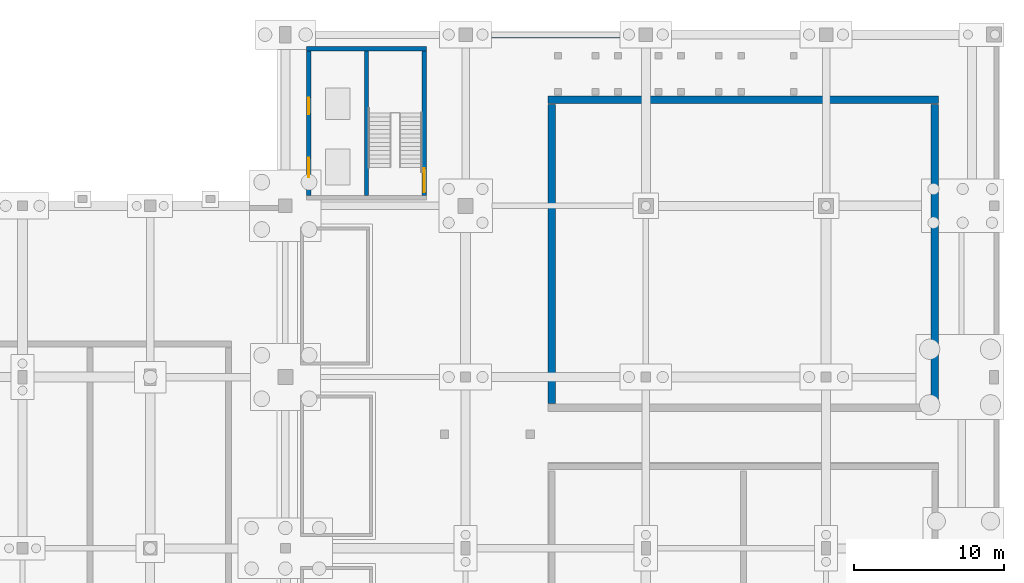
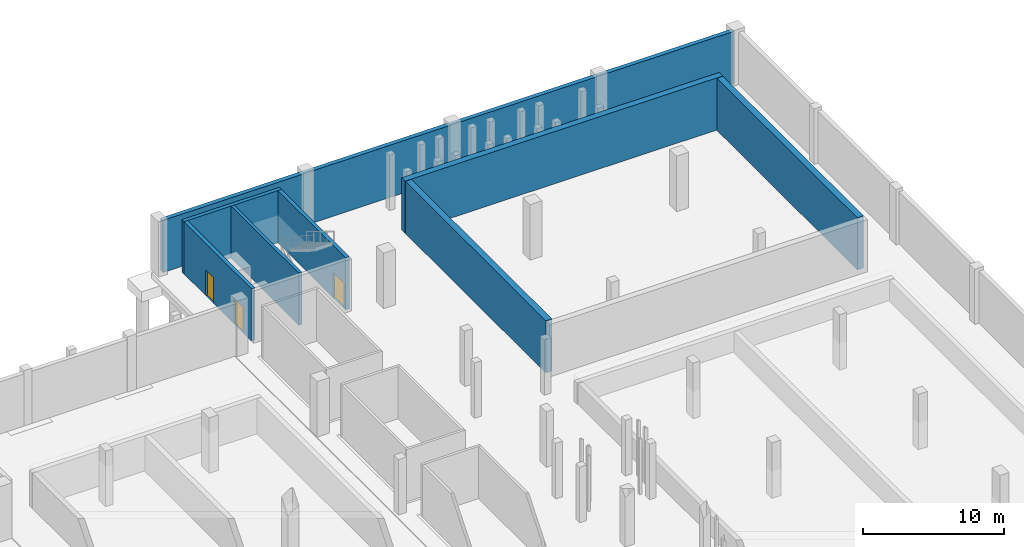
# One storey, part 29 of 34: 8 walls, 3 doors, 3 openings.
"""IFC4 building model written with IfcOpenShell, lengths in metres."""

from ifc_helpers import new_model, si_unit, direction, frame, frame_2d, origin, place, context, subcontext, project, spatial, rectangle, extrude, material, layer, layer_set, type_object, element, fill, save


model = new_model("IFC4")

# Units and contexts
model_context = context("Model", 3, precision=1e-05, world=origin(), true_north=direction((0.0, 1.0)))
body_context = subcontext(model_context, "Body", "Model", "MODEL_VIEW")
ifc_project = project(units=[si_unit("LENGTHUNIT", "METRE"), si_unit("AREAUNIT", "SQUARE_METRE"), si_unit("VOLUMEUNIT", "CUBIC_METRE"), si_unit("PLANEANGLEUNIT", "RADIAN"), si_unit("MASSUNIT", "GRAM", prefix="KILO"), si_unit("POWERUNIT", "WATT"), si_unit("THERMODYNAMICTEMPERATUREUNIT", "KELVIN")], contexts=[model_context])

# Site, building, storey
site_placement = place(None, origin())
site = spatial("IfcSite", under=ifc_project, at=site_placement, CompositionType="ELEMENT")
building_placement = place(site_placement, origin())
building = spatial("IfcBuilding", under=site, at=building_placement, Name="Kelmbourne Parkland Aquatics Centre", CompositionType="ELEMENT")
storey_placement = place(building_placement, frame((0.0, 0.0, -4.800048828125)))
storey = spatial("IfcBuildingStorey", under=building, at=storey_placement, Name="B1", CompositionType="ELEMENT", Elevation=-4.800048828125)

# Walls
ifc_material_1 = material(Name="Concrete C40/50", Category="concrete")
ifc_layer_1 = layer(ifc_material_1, 0.25)
ifc_layer_set_1 = layer_set([ifc_layer_1], Name="Concrete C40/50")
wall_type_1 = type_object("IfcWallType", Name="W-CORE-250", PredefinedType="SHEAR", material=ifc_layer_set_1)
wall_1_placement = place(storey_placement, frame((133.39990234375, 104.10009765625, 0.0), z_axis=(0.0, 0.0, 1.0), x_axis=(0.0, 1.0, 0.0)))
element("IfcWall", 1, at=wall_1_placement, inside=storey, type_object=wall_type_1, Name="North Diving Control Fire-Fighting Core divider wall (B1)", PredefinedType="SHEAR", context=body_context, shape_type="SweptSolid", body=[
    extrude(rectangle(XDim=9.599853515625, YDim=0.25, at=frame_2d((4.7998046875, 0.0))), origin(), (0.0, 0.0, 1.0), 4.52001953125),
])
ifc_layer_2 = layer(ifc_material_1, 0.300048828125)
ifc_layer_set_2 = layer_set([ifc_layer_2], Name="Concrete C40/50")
wall_type_2 = type_object("IfcWallType", Name="W-CORE-300", PredefinedType="SHEAR", material=ifc_layer_set_2)
wall_2_placement = place(storey_placement, frame((129.39990234375, 113.85009765625, 0.0), z_axis=(0.0, 0.0, 1.0), x_axis=(1.0, 0.0, 0.0)))
element("IfcWall", 2, at=wall_2_placement, inside=storey, type_object=wall_type_2, Name="North Diving Control Fire-Fighting Core north wall (B1)", PredefinedType="SHEAR", context=body_context, shape_type="SweptSolid", body=[
    extrude(rectangle(XDim=8.0, YDim=0.300048828125, at=frame_2d((4.0, 0.0))), origin(), (0.0, 0.0, 1.0), 4.52001953125),
])

# Wall, openings, doors
wall_3_placement = place(storey_placement, frame((129.550048828125, 104.10009765625, 0.0), z_axis=(0.0, 0.0, 1.0), x_axis=(0.0, 1.0, 0.0)))
wall_3 = element("IfcWall", 3, at=wall_3_placement, inside=storey, type_object=wall_type_2, Name="North Diving Control Fire-Fighting Core west wall (B1)", PredefinedType="SHEAR", context=body_context, shape_type="SweptSolid", body=[
    extrude(rectangle(XDim=9.599853515625, YDim=0.300048828125, at=frame_2d((4.7998046875, 0.0))), origin(), (0.0, 0.0, 1.0), 4.52001953125),
])
opening_1_placement = place(wall_3_placement, frame((1.199951171875, 0.0, 0.0)))
opening_1 = element("IfcOpeningElement", 4, at=opening_1_placement, cuts=wall_3, Name="Opening LD02", PredefinedType="OPENING", context=body_context, shape_type="SweptSolid", body=[
    extrude(rectangle(XDim=1.300048828125, YDim=2.199951171875, at=frame_2d((0.64990234375, 1.10009765625))), frame((0.0, 0.162109375, 0.0), z_axis=(0.0, -1.0, 0.0), x_axis=(1.0, 0.0, 0.0)), (0.0, 0.0, 1.0), 0.323974609375),
])
opening_2_placement = place(wall_3_placement, frame((5.39990234375, 0.0, 0.0)))
opening_2 = element("IfcOpeningElement", 5, at=opening_2_placement, cuts=wall_3, Name="Opening LD01", PredefinedType="OPENING", context=body_context, shape_type="SweptSolid", body=[
    extrude(rectangle(XDim=1.10009765625, YDim=2.199951171875, at=frame_2d((0.550048828125, 1.10009765625))), frame((0.0, 0.162109375, 0.0), z_axis=(0.0, -1.0, 0.0), x_axis=(1.0, 0.0, 0.0)), (0.0, 0.0, 1.0), 0.323974609375),
])
ifc_material_2 = material(Name="Marine-grade stainless steel and fire-rated hardwood doorset", Category="steel")
ifc_layer_3 = layer(ifc_material_2, 0.050048828125)
ifc_layer_set_3 = layer_set([ifc_layer_3], Name="Marine-grade stainless steel and fire-rated hardwood doorset")
door_type_1 = type_object("IfcDoorType", Name="DR-LD-110", OperationType="NOTDEFINED", PredefinedType="DOOR", material=ifc_layer_set_3)
door_1_placement = place(opening_2_placement, origin())
door_1 = element("IfcDoor", 6, at=door_1_placement, inside=storey, type_object=door_type_1, Name="Lift landing sliding door LF08 (B1)", OperationType="SLIDING_TO_RIGHT", OverallHeight=2.199951171875, OverallWidth=1.10009765625, PredefinedType="DOOR", context=body_context, shape_type="SweptSolid", body=[
    extrude(rectangle(XDim=1.10009765625, YDim=2.199951171875, at=frame_2d((0.550048828125, 1.10009765625))), frame((0.0, 0.02490234375, 0.0), z_axis=(0.0, -1.0, 0.0), x_axis=(1.0, 0.0, 0.0)), (0.0, 0.0, 1.0), 0.050048828125),
])
fill(opening_2, door_1)
ifc_layer_4 = layer(ifc_material_2, 0.050048828125)
ifc_layer_set_4 = layer_set([ifc_layer_4], Name="Marine-grade stainless steel and fire-rated hardwood doorset")
door_type_2 = type_object("IfcDoorType", Name="DR-LD-130", OperationType="NOTDEFINED", PredefinedType="DOOR", material=ifc_layer_set_4)
door_2_placement = place(opening_1_placement, origin())
door_2 = element("IfcDoor", 7, at=door_2_placement, inside=storey, type_object=door_type_2, Name="Lift landing sliding door LF07 (B1)", OperationType="SLIDING_TO_LEFT", OverallHeight=2.199951171875, OverallWidth=1.300048828125, PredefinedType="DOOR", context=body_context, shape_type="SweptSolid", body=[
    extrude(rectangle(XDim=1.300048828125, YDim=2.199951171875, at=frame_2d((0.64990234375, 1.10009765625))), frame((0.0, 0.02490234375, 0.0), z_axis=(0.0, -1.0, 0.0), x_axis=(1.0, 0.0, 0.0)), (0.0, 0.0, 1.0), 0.050048828125),
])
fill(opening_1, door_2)

# Wall, opening, door
wall_4_placement = place(storey_placement, frame((137.25, 104.10009765625, 0.0), z_axis=(0.0, 0.0, 1.0), x_axis=(0.0, 1.0, 0.0)))
wall_4 = element("IfcWall", 8, at=wall_4_placement, inside=storey, type_object=wall_type_2, Name="North Diving Control Fire-Fighting Core east wall (B1)", PredefinedType="SHEAR", context=body_context, shape_type="SweptSolid", body=[
    extrude(rectangle(XDim=9.599853515625, YDim=0.300048828125, at=frame_2d((4.7998046875, 0.0))), origin(), (0.0, 0.0, 1.0), 4.52001953125),
])
opening_3_placement = place(wall_4_placement, frame((0.199951171875, 0.0, 0.0)))
opening_3 = element("IfcOpeningElement", 9, at=opening_3_placement, cuts=wall_4, Name="Opening FD02", PredefinedType="OPENING", context=body_context, shape_type="SweptSolid", body=[
    extrude(rectangle(XDim=1.60009765625, YDim=2.199951171875, at=frame_2d((0.800048828125, 1.10009765625))), frame((0.0, 0.162109375, 0.0), z_axis=(0.0, -1.0, 0.0), x_axis=(1.0, 0.0, 0.0)), (0.0, 0.0, 1.0), 0.323974609375),
])
ifc_layer_5 = layer(ifc_material_2, 0.050048828125)
ifc_layer_set_5 = layer_set([ifc_layer_5], Name="Marine-grade stainless steel and fire-rated hardwood doorset")
door_type_3 = type_object("IfcDoorType", Name="DR-FD-160", OperationType="NOTDEFINED", PredefinedType="DOOR", material=ifc_layer_set_5)
door_3_placement = place(opening_3_placement, frame((1.60009765625, 0.0, 0.0), z_axis=(0.0, 0.0, 1.0), x_axis=(-1.0, 0.0, 0.0)))
door_3 = element("IfcDoor", 10, at=door_3_placement, inside=storey, type_object=door_type_3, Name="Fire stair door ST05 (B1)", OperationType="DOUBLE_DOOR_SINGLE_SWING", OverallHeight=2.199951171875, OverallWidth=1.60009765625, PredefinedType="DOOR", context=body_context, shape_type="SweptSolid", body=[
    extrude(rectangle(XDim=1.60009765625, YDim=2.199951171875, at=frame_2d((0.800048828125, 1.10009765625))), frame((0.0, 0.02490234375, 0.0), z_axis=(0.0, -1.0, 0.0), x_axis=(1.0, 0.0, 0.0)), (0.0, 0.0, 1.0), 0.050048828125),
])
fill(opening_3, door_3)

# Walls
ifc_layer_6 = layer(ifc_material_1, 0.35009765625)
ifc_layer_set_6 = layer_set([ifc_layer_6], Name="Concrete C40/50")
wall_type_3 = type_object("IfcWallType", Name="W-RET-350", PredefinedType="SHEAR", material=ifc_layer_set_6)
wall_5_placement = place(storey_placement, frame((128.199951171875, 114.75, 0.0), z_axis=(0.0, 0.0, 1.0), x_axis=(1.0, 0.0, 0.0)))
element("IfcWall", 11, at=wall_5_placement, inside=storey, type_object=wall_type_3, Name="Basement retaining wall RET-N1B", PredefinedType="SHEAR", context=body_context, shape_type="SweptSolid", body=[
    extrude(rectangle(XDim=46.800048828125, YDim=0.35009765625, at=frame_2d((23.39990234375, 0.0))), origin(), (0.0, 0.0, 1.0), 4.52001953125),
])
ifc_material_3 = material(Name="Waterproof concrete C50/60", Category="concrete")
ifc_layer_7 = layer(ifc_material_3, 0.5)
ifc_layer_set_7 = layer_set([ifc_layer_7], Name="Waterproof concrete C50/60")
wall_type_4 = type_object("IfcWallType", Name="W-TANK-500", PredefinedType="SHEAR", material=ifc_layer_set_7)
wall_6_placement = place(storey_placement, frame((145.5, 110.449951171875, 0.0), z_axis=(0.0, 0.0, 1.0), x_axis=(1.0, 0.0, 0.0)))
element("IfcWall", 12, at=wall_6_placement, inside=storey, type_object=wall_type_4, Name="25x20m Diving Pool Tank tank wall N", PredefinedType="SHEAR", context=body_context, shape_type="SweptSolid", body=[
    extrude(rectangle(XDim=26.0, YDim=0.5, at=frame_2d((13.0, 0.0))), origin(), (0.0, 0.0, 1.0), 4.52001953125),
])
for number, where, z_axis, x_axis, name in (
    (13, (145.75, 90.25, 0.0), (0.0, 0.0, 1.0), (0.0, 1.0, 0.0), "25x20m Diving Pool Tank tank wall W"),
    (14, (171.25, 90.25, 0.0), (0.0, 0.0, 1.0), (0.0, 1.0, 0.0), "25x20m Diving Pool Tank tank wall E"),
):
    element("IfcWall", number, at=place(storey_placement, frame(where, z_axis=z_axis, x_axis=x_axis)), inside=storey, type_object=wall_type_4, Name=name, PredefinedType="SHEAR", context=body_context, shape_type="SweptSolid", body=[
        extrude(rectangle(XDim=19.89990234375, YDim=0.5, at=frame_2d((9.949951171875, 0.0))), origin(), (0.0, 0.0, 1.0), 4.52001953125),
    ])

save(model, "model.ifc")
